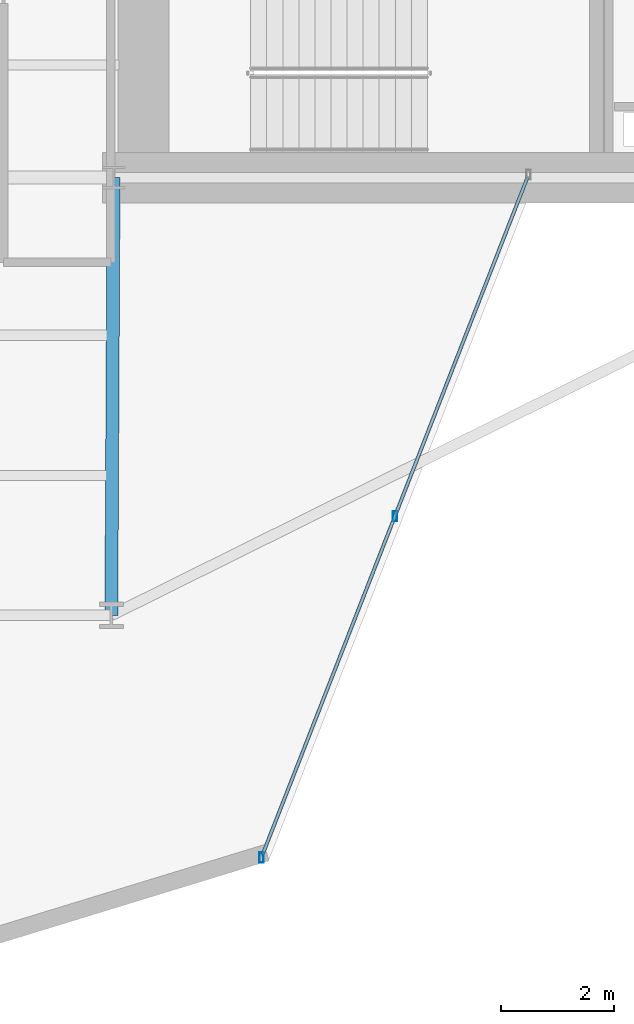
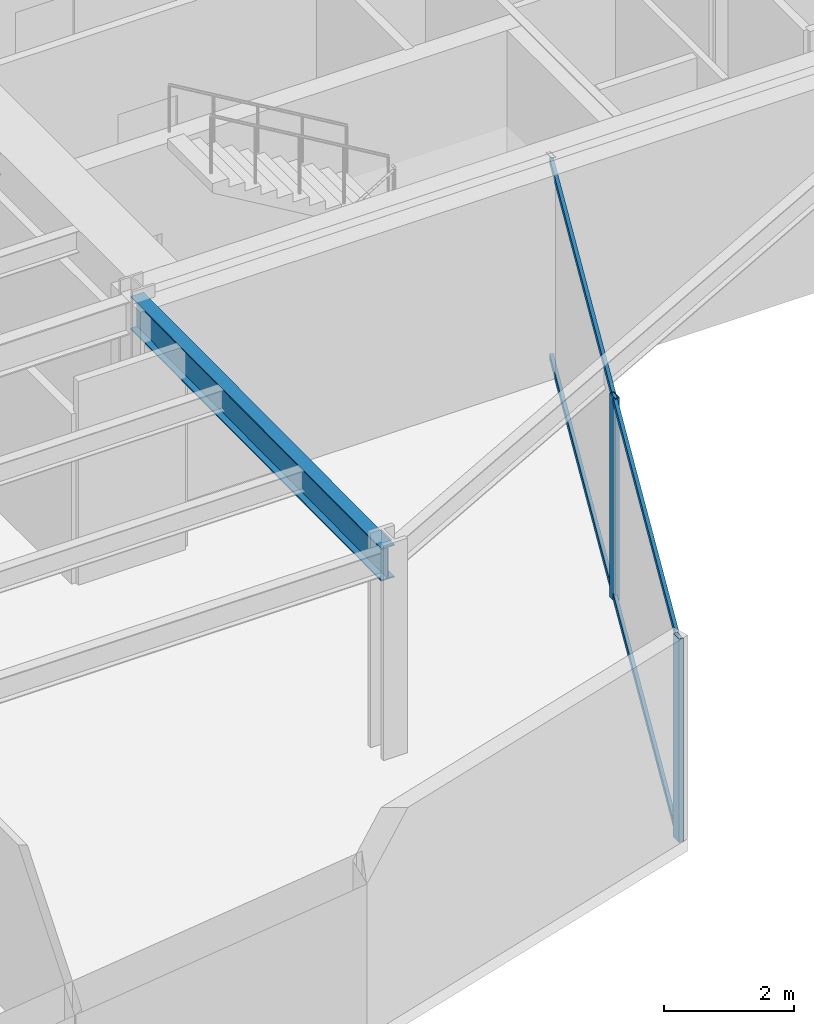
# One storey, part 14 of 30: 4 members, 1 beam, 1 element without a shape of its own.
"""IFC4 building model written with IfcOpenShell, lengths in metres."""

from ifc_helpers import new_model, si_unit, direction, frame, origin, origin_2d, place, context, subcontext, project, spatial, hollow_rectangle, i_section, extrude, material, layer, layer_set, material_profile, profile_set, type_object, element, aggregate, save


model = new_model("IFC4")

# Units and contexts
model_context = context("Model", 3, precision=1e-05, world=origin(), true_north=direction((0.0, 1.0)))
body_context = subcontext(model_context, "Body", "Model", "MODEL_VIEW")
ifc_project = project(units=[si_unit("LENGTHUNIT", "METRE"), si_unit("AREAUNIT", "SQUARE_METRE"), si_unit("VOLUMEUNIT", "CUBIC_METRE"), si_unit("PLANEANGLEUNIT", "RADIAN"), si_unit("MASSUNIT", "GRAM", prefix="KILO")], contexts=[model_context])

# Site, building, storey
site_placement = place(None, origin())
site = spatial("IfcSite", under=ifc_project, at=site_placement, CompositionType="ELEMENT")
building_placement = place(site_placement, origin())
building = spatial("IfcBuilding", under=site, at=building_placement, Name="Veymaron Broadcast Tower", CompositionType="ELEMENT")
storey_placement = place(building_placement, frame((0.0, 0.0, 54.0)))
storey = spatial("IfcBuildingStorey", under=building, at=storey_placement, Name="L11", CompositionType="ELEMENT", Elevation=54.0)

# Beam
ifc_material_1 = material(Name="Structural steel ASTM A992 Gr 50", Category="steel")
ifc_material_profile_1 = material_profile(ifc_material_1, i_section(OverallWidth=0.22998046875, OverallDepth=0.616943359375, WebThickness=0.01318359375, FlangeThickness=0.022216796875, at=origin_2d()), Name="W610X140")
ifc_profile_set_1 = profile_set([ifc_material_profile_1], Name="Structural steel ASTM A992 Gr 50")
beam_type = type_object("IfcBeamType", Name="BM-FG1", PredefinedType="BEAM", material=ifc_profile_set_1)
beam_placement = place(storey_placement, frame((39.0, 16.0, 3.50146484375), z_axis=(-0.00515959783, -0.999986689187, 0.0), x_axis=(0.999986689187, -0.00515959783, 0.0)))
element("IfcBeam", 1, at=beam_placement, inside=storey, type_object=beam_type, Name="L11 primary structural floor girder", PredefinedType="BEAM", context=body_context, shape_type="SweptSolid", body=[
    extrude(i_section(OverallWidth=0.22998046875, OverallDepth=0.616943359375, WebThickness=0.01318359375, FlangeThickness=0.022216796875, at=origin_2d()), origin(), (0.0, 0.0, 1.0), 7.760009765625),
])

# Curtain wall, members
ifc_material_2 = material(Name="Anodised aluminium AA 6063-T6 and laminated low-E dark glass", Category="aluminium")
ifc_layer = layer(ifc_material_2, 0.179931640625)
ifc_layer_set = layer_set([ifc_layer], Name="Anodised aluminium AA 6063-T6 and laminated low-E dark glass")
curtain_wall_type = type_object("IfcCurtainWallType", Name="CW-SYS-02", PredefinedType="NOTDEFINED", material=ifc_layer_set)
curtain_wall_placement = place(storey_placement, origin())
curtain_wall = element("IfcCurtainWall", 2, at=curtain_wall_placement, inside=storey, type_object=curtain_wall_type, Name="L11 dark-glass curtain wall CW-L11-E20-1", PredefinedType="NOTDEFINED")
ifc_material_3 = material(Name="Anodised aluminium AA 6063-T6", Category="aluminium")
ifc_material_profile_2 = material_profile(ifc_material_3, hollow_rectangle(XDim=0.074951171875, YDim=0.179931640625, WallThickness=0.0048828125, at=origin_2d()), Name="AL180X75X5")
ifc_profile_set_2 = profile_set([ifc_material_profile_2], Name="Anodised aluminium AA 6063-T6")
member_type_1 = type_object("IfcMemberType", Name="CW-MUL-02", PredefinedType="MULLION", material=ifc_profile_set_2)
member_1_placement = place(storey_placement, frame((41.6220703125, 3.947021484375, 0.0), z_axis=(0.0, 0.0, 1.0), x_axis=(1.0, 0.0, 0.0)))
member_1 = element("IfcMember", 3, at=member_1_placement, type_object=member_type_1, Name="CW-L11-E20-1 mullion 0", PredefinedType="MULLION", context=body_context, shape_type="SweptSolid", body=[
    extrude(hollow_rectangle(XDim=0.074951171875, YDim=0.179931640625, WallThickness=0.0048828125, at=origin_2d()), origin(), (0.0, 0.0, 1.0), 3.81005859375),
])
member_2_placement = place(storey_placement, frame((43.989501953125, 9.9990234375, 0.0), z_axis=(0.0, 0.0, 1.0), x_axis=(1.0, 0.0, 0.0)))
member_2 = element("IfcMember", 4, at=member_2_placement, type_object=member_type_1, Name="CW-L11-E20-1 mullion 1", PredefinedType="MULLION", context=body_context, shape_type="SweptSolid", body=[
    extrude(hollow_rectangle(XDim=0.074951171875, YDim=0.179931640625, WallThickness=0.0048828125, at=origin_2d()), origin(), (0.0, 0.0, 1.0), 3.81005859375),
])
ifc_material_profile_3 = material_profile(ifc_material_3, hollow_rectangle(XDim=0.06005859375, YDim=0.1201171875, WallThickness=0.00390625, at=origin_2d()), Name="AL120X60X4")
ifc_profile_set_3 = profile_set([ifc_material_profile_3], Name="Anodised aluminium AA 6063-T6")
member_type_2 = type_object("IfcMemberType", Name="CW-TRN-02", PredefinedType="USERDEFINED", material=ifc_profile_set_3)
member_3_placement = place(storey_placement, frame((41.64013671875, 3.99365234375, 0.070068359375), z_axis=(0.364290854908, 0.931285226464, 0.0), x_axis=(-0.931285226464, 0.364290854908, 0.0)))
member_3 = element("IfcMember", 5, at=member_3_placement, type_object=member_type_2, Name="CW-L11-E20-1 transom B", ObjectType="TRANSOM", PredefinedType="USERDEFINED", context=body_context, shape_type="SweptSolid", body=[
    extrude(hollow_rectangle(XDim=0.06005859375, YDim=0.1201171875, WallThickness=0.00390625, at=origin_2d()), origin(), (0.0, 0.0, 1.0), 12.89697265625),
])
member_4_placement = place(storey_placement, frame((41.64013671875, 3.99365234375, 3.739990234375), z_axis=(0.364290854908, 0.931285226464, 0.0), x_axis=(-0.931285226464, 0.364290854908, 0.0)))
member_4 = element("IfcMember", 6, at=member_4_placement, type_object=member_type_2, Name="CW-L11-E20-1 transom T", ObjectType="TRANSOM", PredefinedType="USERDEFINED", context=body_context, shape_type="SweptSolid", body=[
    extrude(hollow_rectangle(XDim=0.06005859375, YDim=0.1201171875, WallThickness=0.00390625, at=origin_2d()), origin(), (0.0, 0.0, 1.0), 12.89697265625),
])
aggregate(curtain_wall, [member_1, member_2, member_3, member_4])

save(model, "model.ifc")
